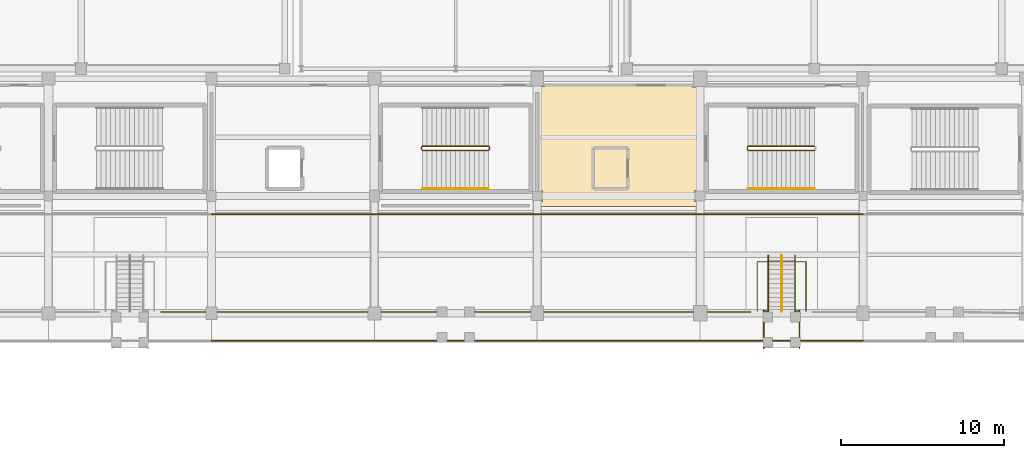
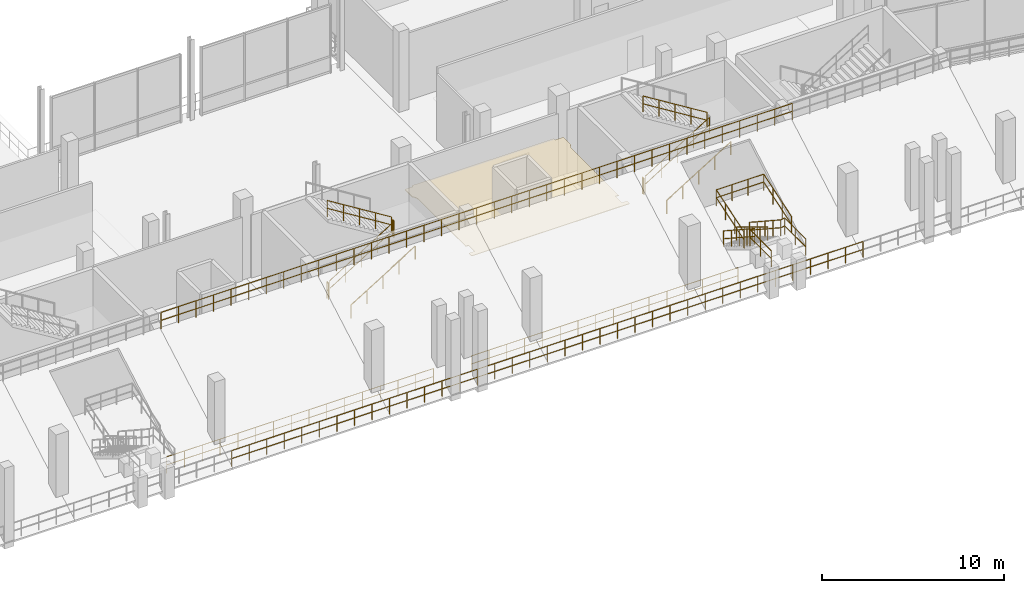
# One storey, part 123 of 127: 23 railings, 1 covering.
"""IFC4 building model written with IfcOpenShell, lengths in metres."""

from ifc_helpers import new_model, si_unit, direction, frame, origin, origin_2d, place, context, subcontext, project, spatial, polyline, circle, outline, extrude, material, layer, layer_set, type_object, element, save


model = new_model("IFC4")

# Units and contexts
model_context = context("Model", 3, precision=1e-05, world=origin(), true_north=direction((0.0, 1.0)))
body_context = subcontext(model_context, "Body", "Model", "MODEL_VIEW")
ifc_project = project(units=[si_unit("LENGTHUNIT", "METRE"), si_unit("AREAUNIT", "SQUARE_METRE"), si_unit("VOLUMEUNIT", "CUBIC_METRE"), si_unit("PLANEANGLEUNIT", "RADIAN"), si_unit("MASSUNIT", "GRAM", prefix="KILO")], contexts=[model_context])

# Site, building, storey
site_placement = place(None, origin())
site = spatial("IfcSite", under=ifc_project, at=site_placement, CompositionType="ELEMENT")
building_placement = place(site_placement, origin())
building = spatial("IfcBuilding", under=site, at=building_placement, Name="Candeia Ridge Stadium", CompositionType="ELEMENT")
storey_placement = place(building_placement, frame((0.0, 0.0, 10.800048828125)))
storey = spatial("IfcBuildingStorey", under=building, at=storey_placement, Name="L02", CompositionType="ELEMENT", Elevation=10.800048828125)

# Covering
ifc_material_1 = material(Name="Western Red Cedar Acoustic Slat", Category="wood")
ifc_layer_1 = layer(ifc_material_1, 0.044921875, Name="Western Red Cedar Acoustic Slat", Category="wood")
ifc_layer_set_1 = layer_set([ifc_layer_1], Name="Western Red Cedar Acoustic Slat")
covering_type = type_object("IfcCoveringType", Name="Slatted Cedar Acoustic Ceiling 45", PredefinedType="CEILING", material=ifc_layer_set_1)
covering_placement = place(storey_placement, frame((0.0, 0.0, 2.510009765625)))
element("IfcCovering", 1, at=covering_placement, inside=storey, type_object=covering_type, Name="Acoustic ceiling Club Hospitality Suite L02-03", PredefinedType="CEILING", context=body_context, shape_type="SweptSolid", body=[
    extrude(outline(polyline([(110.994140625, 139.170654296875), (110.9912109375, 139.17138671875), (110.988525390625, 139.17236328125), (110.98583984375, 139.173583984375), (110.9833984375, 139.175048828125), (110.98095703125, 139.1767578125), (110.978759765625, 139.1787109375), (110.976806640625, 139.180908203125), (110.97509765625, 139.183349609375), (110.973388671875, 139.185791015625), (110.972412109375, 139.1884765625), (110.97119140625, 139.19140625), (110.970703125, 139.194091796875), (110.97021484375, 139.197021484375), (110.969970703125, 139.199951171875), (110.969970703125, 139.469970703125), (111.330078125, 139.469970703125), (111.330078125, 140.1298828125), (111.145751953125, 140.1298828125), (111.148193359375, 140.1533203125), (111.149658203125, 140.182861328125), (111.14990234375, 140.199951171875), (111.14990234375, 145.25), (111.149658203125, 145.26708984375), (111.148193359375, 145.296630859375), (111.144775390625, 145.330810546875), (111.140380859375, 145.35986328125), (111.1337890625, 145.3935546875), (111.126708984375, 145.422119140625), (111.11669921875, 145.455078125), (111.106689453125, 145.482666015625), (111.093505859375, 145.514404296875), (111.0810546875, 145.541015625), (111.064697265625, 145.5712890625), (111.049560546875, 145.5966796875), (111.030517578125, 145.625244140625), (111.012939453125, 145.648681640625), (110.9912109375, 145.67529296875), (110.971435546875, 145.697265625), (110.969970703125, 145.698486328125), (110.969970703125, 146.510009765625), (111.489990234375, 146.510009765625), (111.489990234375, 146.6298828125), (120.485107421875, 146.6298828125), (120.485107421875, 146.485107421875), (120.989990234375, 146.485107421875), (120.989990234375, 145.652587890625), (120.987060546875, 145.648681640625), (120.969482421875, 145.625244140625), (120.950439453125, 145.5966796875), (120.935302734375, 145.5712890625), (120.9189453125, 145.541015625), (120.906494140625, 145.514404296875), (120.893310546875, 145.482666015625), (120.88330078125, 145.455078125), (120.873291015625, 145.422119140625), (120.8662109375, 145.3935546875), (120.859619140625, 145.35986328125), (120.855224609375, 145.330810546875), (120.851806640625, 145.296630859375), (120.850341796875, 145.26708984375), (120.85009765625, 145.25), (120.85009765625, 140.199951171875), (120.850341796875, 140.182861328125), (120.851806640625, 140.1533203125), (120.852294921875, 140.14990234375), (120.64990234375, 140.14990234375), (120.64990234375, 139.449951171875), (120.989990234375, 139.449951171875), (120.989990234375, 139.199951171875), (120.989990234375, 139.197021484375), (120.989501953125, 139.194091796875), (120.98876953125, 139.19140625), (120.98779296875, 139.1884765625), (120.986572265625, 139.185791015625), (120.98486328125, 139.183349609375), (120.983154296875, 139.180908203125), (120.981201171875, 139.1787109375), (120.97900390625, 139.1767578125), (120.976806640625, 139.175048828125), (120.97412109375, 139.173583984375), (120.971435546875, 139.17236328125), (120.96875, 139.17138671875), (120.9658203125, 139.170654296875), (120.962890625, 139.170166015625), (120.9599609375, 139.169921875), (111.0, 139.169921875), (110.9970703125, 139.170166015625), (110.994140625, 139.170654296875)])), origin(), (0.0, 0.0, 1.0), 0.0400390625),
])

# Railings
ifc_material_2 = material(Name="Galvanized Powder-Coated Steel", Category="steel")
ifc_layer_2 = layer(ifc_material_2, 0.074951171875, Name="Galvanized Powder-Coated Steel", Category="steel")
ifc_layer_set_2 = layer_set([ifc_layer_2], Name="Galvanized Powder-Coated Steel")
railing_type_1 = type_object("IfcRailingType", Name="Spectator Bowl Front Guardrail 1120", PredefinedType="GUARDRAIL", material=ifc_layer_set_2)
for number, where, name in (
    (2, (131.0, 130.919921875, 0.39990234375), "Stand T2 front safety guardrail bay 02"),
    (3, (131.0, 138.679931640625, 4.949951171875), "Stand T2 rear safety guardrail bay 02"),
    (4, (121.0, 130.919921875, 0.39990234375), "Stand T2 front safety guardrail bay 03"),
    (5, (121.0, 138.679931640625, 4.949951171875), "Stand T2 rear safety guardrail bay 03"),
    (6, (111.0, 130.919921875, 0.39990234375), "Stand T2 front safety guardrail bay 04"),
    (7, (111.0, 138.679931640625, 4.949951171875), "Stand T2 rear safety guardrail bay 04"),
    (8, (101.0, 130.919921875, 0.39990234375), "Stand T2 front safety guardrail bay 05"),
    (9, (101.0, 138.679931640625, 4.949951171875), "Stand T2 rear safety guardrail bay 05"),
):
    element("IfcRailing", number, at=place(storey_placement, frame(where)), inside=storey, type_object=railing_type_1, Name=name, PredefinedType="GUARDRAIL", context=body_context, shape_type="SweptSolid", body=[
        extrude(circle(Radius=0.02392578125, at=origin_2d()), frame((0.0, 0.0, 1.09619140625), z_axis=(-1.0, 0.0, 0.0), x_axis=(0.0, -1.0, 0.0)), (0.0, 0.0, 1.0), 10.0),
        extrude(circle(Radius=0.02392578125, at=origin_2d()), frame((0.0, 0.0, 0.56005859375), z_axis=(-1.0, 0.0, 0.0), x_axis=(0.0, -1.0, 0.0)), (0.0, 0.0, 1.0), 10.0),
        extrude(circle(Radius=0.02099609375, at=origin_2d()), origin(), (0.0, 0.0, 1.0), 1.072021484375),
        extrude(circle(Radius=0.02099609375, at=origin_2d()), frame((-1.111083984375, 0.0, 0.0)), (0.0, 0.0, 1.0), 1.072021484375),
        extrude(circle(Radius=0.02099609375, at=origin_2d()), frame((-2.22216796875, 0.0, 0.0)), (0.0, 0.0, 1.0), 1.072021484375),
        extrude(circle(Radius=0.02099609375, at=origin_2d()), frame((-3.333251953125, 0.0, 0.0)), (0.0, 0.0, 1.0), 1.072021484375),
        extrude(circle(Radius=0.02099609375, at=origin_2d()), frame((-4.4443359375, 0.0, 0.0)), (0.0, 0.0, 1.0), 1.072021484375),
        extrude(circle(Radius=0.02099609375, at=origin_2d()), frame((-5.5556640625, 0.0, 0.0)), (0.0, 0.0, 1.0), 1.072021484375),
        extrude(circle(Radius=0.02099609375, at=origin_2d()), frame((-6.666748046875, 0.0, 0.0)), (0.0, 0.0, 1.0), 1.072021484375),
        extrude(circle(Radius=0.02099609375, at=origin_2d()), frame((-7.77783203125, 0.0, 0.0)), (0.0, 0.0, 1.0), 1.072021484375),
        extrude(circle(Radius=0.02099609375, at=origin_2d()), frame((-8.888916015625, 0.0, 0.0)), (0.0, 0.0, 1.0), 1.072021484375),
        extrude(circle(Radius=0.02099609375, at=origin_2d()), frame((-10.0, 0.0, 0.0)), (0.0, 0.0, 1.0), 1.072021484375),
    ])
railing_1_placement = place(storey_placement, frame((124.09765625, 132.679931640625, 0.0)))
element("IfcRailing", 10, at=railing_1_placement, inside=storey, type_object=railing_type_1, Name="Deck edge safety guardrail GR-DE-L02-0102", PredefinedType="GUARDRAIL", context=body_context, shape_type="SweptSolid", body=[
    extrude(circle(Radius=0.02392578125, at=origin_2d()), frame((0.0, 0.0, 1.09619140625), z_axis=(-1.0, 0.0, 0.0), x_axis=(0.0, -1.0, 0.0)), (0.0, 0.0, 1.0), 16.90771484375),
    extrude(circle(Radius=0.02392578125, at=origin_2d()), frame((0.0, 0.0, 0.56005859375), z_axis=(-1.0, 0.0, 0.0), x_axis=(0.0, -1.0, 0.0)), (0.0, 0.0, 1.0), 16.90771484375),
    extrude(circle(Radius=0.02099609375, at=origin_2d()), origin(), (0.0, 0.0, 1.0), 1.072021484375),
    extrude(circle(Radius=0.02099609375, at=origin_2d()), frame((-1.127197265625, 0.0, 0.0)), (0.0, 0.0, 1.0), 1.072021484375),
    extrude(circle(Radius=0.02099609375, at=origin_2d()), frame((-2.25439453125, 0.0, 0.0)), (0.0, 0.0, 1.0), 1.072021484375),
    extrude(circle(Radius=0.02099609375, at=origin_2d()), frame((-3.381591796875, 0.0, 0.0)), (0.0, 0.0, 1.0), 1.072021484375),
    extrude(circle(Radius=0.02099609375, at=origin_2d()), frame((-4.5087890625, 0.0, 0.0)), (0.0, 0.0, 1.0), 1.072021484375),
    extrude(circle(Radius=0.02099609375, at=origin_2d()), frame((-5.635986328125, 0.0, 0.0)), (0.0, 0.0, 1.0), 1.072021484375),
    extrude(circle(Radius=0.02099609375, at=origin_2d()), frame((-6.76318359375, 0.0, 0.0)), (0.0, 0.0, 1.0), 1.072021484375),
    extrude(circle(Radius=0.02099609375, at=origin_2d()), frame((-7.890380859375, 0.0, 0.0)), (0.0, 0.0, 1.0), 1.072021484375),
    extrude(circle(Radius=0.02099609375, at=origin_2d()), frame((-9.017333984375, 0.0, 0.0)), (0.0, 0.0, 1.0), 1.072021484375),
    extrude(circle(Radius=0.02099609375, at=origin_2d()), frame((-10.14453125, 0.0, 0.0)), (0.0, 0.0, 1.0), 1.072021484375),
    extrude(circle(Radius=0.02099609375, at=origin_2d()), frame((-11.271728515625, 0.0, 0.0)), (0.0, 0.0, 1.0), 1.072021484375),
    extrude(circle(Radius=0.02099609375, at=origin_2d()), frame((-12.39892578125, 0.0, 0.0)), (0.0, 0.0, 1.0), 1.072021484375),
    extrude(circle(Radius=0.02099609375, at=origin_2d()), frame((-13.526123046875, 0.0, 0.0)), (0.0, 0.0, 1.0), 1.072021484375),
    extrude(circle(Radius=0.02099609375, at=origin_2d()), frame((-14.6533203125, 0.0, 0.0)), (0.0, 0.0, 1.0), 1.072021484375),
    extrude(circle(Radius=0.02099609375, at=origin_2d()), frame((-15.780517578125, 0.0, 0.0)), (0.0, 0.0, 1.0), 1.072021484375),
    extrude(circle(Radius=0.02099609375, at=origin_2d()), frame((-16.90771484375, 0.0, 0.0)), (0.0, 0.0, 1.0), 1.072021484375),
])
railing_2_placement = place(storey_placement, frame((104.81005859375, 132.679931640625, 0.0)))
element("IfcRailing", 11, at=railing_2_placement, inside=storey, type_object=railing_type_1, Name="Deck edge safety guardrail GR-DE-L02-0103", PredefinedType="GUARDRAIL", context=body_context, shape_type="SweptSolid", body=[
    extrude(circle(Radius=0.02392578125, at=origin_2d()), frame((0.0, 0.0, 1.09619140625), z_axis=(-1.0, 0.0, 0.0), x_axis=(0.0, -1.0, 0.0)), (0.0, 0.0, 1.0), 16.90771484375),
    extrude(circle(Radius=0.02392578125, at=origin_2d()), frame((0.0, 0.0, 0.56005859375), z_axis=(-1.0, 0.0, 0.0), x_axis=(0.0, -1.0, 0.0)), (0.0, 0.0, 1.0), 16.90771484375),
    extrude(circle(Radius=0.02099609375, at=origin_2d()), origin(), (0.0, 0.0, 1.0), 1.072021484375),
    extrude(circle(Radius=0.02099609375, at=origin_2d()), frame((-1.127197265625, 0.0, 0.0)), (0.0, 0.0, 1.0), 1.072021484375),
    extrude(circle(Radius=0.02099609375, at=origin_2d()), frame((-2.25439453125, 0.0, 0.0)), (0.0, 0.0, 1.0), 1.072021484375),
    extrude(circle(Radius=0.02099609375, at=origin_2d()), frame((-3.381591796875, 0.0, 0.0)), (0.0, 0.0, 1.0), 1.072021484375),
    extrude(circle(Radius=0.02099609375, at=origin_2d()), frame((-4.5087890625, 0.0, 0.0)), (0.0, 0.0, 1.0), 1.072021484375),
    extrude(circle(Radius=0.02099609375, at=origin_2d()), frame((-5.635986328125, 0.0, 0.0)), (0.0, 0.0, 1.0), 1.072021484375),
    extrude(circle(Radius=0.02099609375, at=origin_2d()), frame((-6.76318359375, 0.0, 0.0)), (0.0, 0.0, 1.0), 1.072021484375),
    extrude(circle(Radius=0.02099609375, at=origin_2d()), frame((-7.890380859375, 0.0, 0.0)), (0.0, 0.0, 1.0), 1.072021484375),
    extrude(circle(Radius=0.02099609375, at=origin_2d()), frame((-9.017333984375, 0.0, 0.0)), (0.0, 0.0, 1.0), 1.072021484375),
    extrude(circle(Radius=0.02099609375, at=origin_2d()), frame((-10.14453125, 0.0, 0.0)), (0.0, 0.0, 1.0), 1.072021484375),
    extrude(circle(Radius=0.02099609375, at=origin_2d()), frame((-11.271728515625, 0.0, 0.0)), (0.0, 0.0, 1.0), 1.072021484375),
    extrude(circle(Radius=0.02099609375, at=origin_2d()), frame((-12.39892578125, 0.0, 0.0)), (0.0, 0.0, 1.0), 1.072021484375),
    extrude(circle(Radius=0.02099609375, at=origin_2d()), frame((-13.526123046875, 0.0, 0.0)), (0.0, 0.0, 1.0), 1.072021484375),
    extrude(circle(Radius=0.02099609375, at=origin_2d()), frame((-14.6533203125, 0.0, 0.0)), (0.0, 0.0, 1.0), 1.072021484375),
    extrude(circle(Radius=0.02099609375, at=origin_2d()), frame((-15.780517578125, 0.0, 0.0)), (0.0, 0.0, 1.0), 1.072021484375),
    extrude(circle(Radius=0.02099609375, at=origin_2d()), frame((-16.90771484375, 0.0, 0.0)), (0.0, 0.0, 1.0), 1.072021484375),
])
ifc_material_3 = material(Name="Brushed Stainless Steel", Category="steel")
ifc_layer_3 = layer(ifc_material_3, 0.048095703125, Name="Brushed Stainless Steel", Category="steel")
ifc_layer_set_3 = layer_set([ifc_layer_3], Name="Brushed Stainless Steel")
railing_type_2 = type_object("IfcRailingType", Name="Stair Wall & Flight Handrail 900", PredefinedType="HANDRAIL", material=ifc_layer_set_3)
for number, where, name in (
    (12, (123.949951171875, 140.25, 0.179931640625), "L02 ST10 stair handrail 1"),
    (13, (103.949951171875, 140.25, 0.179931640625), "L02 ST17 stair handrail 1"),
):
    element("IfcRailing", number, at=place(storey_placement, frame(where)), inside=storey, type_object=railing_type_2, Name=name, PredefinedType="HANDRAIL", context=body_context, shape_type="SweptSolid", body=[
        extrude(circle(Radius=0.02392578125, at=origin_2d()), frame((0.0, 0.0, 0.8759765625), z_axis=(0.849641744969, 0.0, 0.527360318194), x_axis=(0.0, 1.0, 0.0)), (0.0, 0.0, 1.0), 4.778564453125),
        extrude(circle(Radius=0.02099609375, at=origin_2d()), origin(), (0.0, 0.0, 1.0), 0.851806640625),
        extrude(circle(Radius=0.02099609375, at=origin_2d()), frame((1.01513671875, 0.0, 0.6298828125)), (0.0, 0.0, 1.0), 0.851806640625),
        extrude(circle(Radius=0.02099609375, at=origin_2d()), frame((2.030029296875, 0.0, 1.260009765625)), (0.0, 0.0, 1.0), 0.851806640625),
        extrude(circle(Radius=0.02099609375, at=origin_2d()), frame((3.044921875, 0.0, 1.89013671875)), (0.0, 0.0, 1.0), 0.851806640625),
        extrude(circle(Radius=0.02099609375, at=origin_2d()), frame((4.06005859375, 0.0, 2.52001953125)), (0.0, 0.0, 1.0), 0.851806640625),
    ])
railing_3_placement = place(storey_placement, frame((126.0, 136.139892578125, 0.17236328125)))
element("IfcRailing", 14, at=railing_3_placement, inside=storey, type_object=railing_type_2, Name="Vomitory stair handrail VS19", PredefinedType="HANDRAIL", context=body_context, shape_type="SweptSolid", body=[
    extrude(circle(Radius=0.02392578125, at=origin_2d()), frame((0.0, 0.0, 0.8759765625), z_axis=(0.0, -0.855757773658, 0.517376683688), x_axis=(1.0, 0.0, 0.0)), (0.0, 0.0, 1.0), 3.996337890625),
    extrude(circle(Radius=0.02099609375, at=origin_2d()), origin(), (0.0, 0.0, 1.0), 0.851806640625),
    extrude(circle(Radius=0.02099609375, at=origin_2d()), frame((0.0, -0.85498046875, 0.516845703125)), (0.0, 0.0, 1.0), 0.851806640625),
    extrude(circle(Radius=0.02099609375, at=origin_2d()), frame((0.0, -1.7099609375, 1.03369140625)), (0.0, 0.0, 1.0), 0.851806640625),
    extrude(circle(Radius=0.02099609375, at=origin_2d()), frame((0.0, -2.56494140625, 1.55078125)), (0.0, 0.0, 1.0), 0.851806640625),
    extrude(circle(Radius=0.02099609375, at=origin_2d()), frame((0.0, -3.419921875, 2.067626953125)), (0.0, 0.0, 1.0), 0.851806640625),
])
ifc_layer_4 = layer(ifc_material_2, 0.06005859375, Name="Galvanized Powder-Coated Steel", Category="steel")
ifc_layer_set_4 = layer_set([ifc_layer_4], Name="Galvanized Powder-Coated Steel")
railing_type_3 = type_object("IfcRailingType", Name="Stair Well Guardrail 1100", PredefinedType="GUARDRAIL", material=ifc_layer_set_4)
railing_4_placement = place(storey_placement, frame((123.949951171875, 142.60009765625, 0.179931640625)))
element("IfcRailing", 15, at=railing_4_placement, inside=storey, type_object=railing_type_3, Name="L02 ST10 stair guard 1", PredefinedType="GUARDRAIL", context=body_context, shape_type="SweptSolid", body=[
    extrude(circle(Radius=0.02392578125, at=origin_2d()), frame((0.0, 0.0, 1.076171875), z_axis=(0.849641744969, 0.0, 0.527360318194), x_axis=(0.0, 1.0, 0.0)), (0.0, 0.0, 1.0), 4.778564453125),
    extrude(circle(Radius=0.02392578125, at=origin_2d()), frame((0.0, 0.0, 0.550048828125), z_axis=(0.849641744969, 0.0, 0.527360318194), x_axis=(0.0, 1.0, 0.0)), (0.0, 0.0, 1.0), 4.778564453125),
    extrude(circle(Radius=0.02099609375, at=origin_2d()), origin(), (0.0, 0.0, 1.0), 1.052001953125),
    extrude(circle(Radius=0.02099609375, at=origin_2d()), frame((1.01513671875, 0.0, 0.6298828125)), (0.0, 0.0, 1.0), 1.052001953125),
    extrude(circle(Radius=0.02099609375, at=origin_2d()), frame((2.030029296875, 0.0, 1.260009765625)), (0.0, 0.0, 1.0), 1.052001953125),
    extrude(circle(Radius=0.02099609375, at=origin_2d()), frame((3.044921875, 0.0, 1.89013671875)), (0.0, 0.0, 1.0), 1.052001953125),
    extrude(circle(Radius=0.02099609375, at=origin_2d()), frame((4.06005859375, 0.0, 2.52001953125)), (0.0, 0.0, 1.0), 1.052001953125),
])
railing_5_placement = place(storey_placement, frame((128.010009765625, 142.85009765625, 2.8798828125)))
element("IfcRailing", 16, at=railing_5_placement, inside=storey, type_object=railing_type_3, Name="L02 ST10 stair guard 3", PredefinedType="GUARDRAIL", context=body_context, shape_type="SweptSolid", body=[
    extrude(circle(Radius=0.02392578125, at=origin_2d()), frame((0.0, 0.0, 1.076171875), z_axis=(-0.849641744969, 0.0, 0.527360318194), x_axis=(0.0, -1.0, 0.0)), (0.0, 0.0, 1.0), 4.778564453125),
    extrude(circle(Radius=0.02392578125, at=origin_2d()), frame((0.0, 0.0, 0.550048828125), z_axis=(-0.849641744969, 0.0, 0.527360318194), x_axis=(0.0, -1.0, 0.0)), (0.0, 0.0, 1.0), 4.778564453125),
    extrude(circle(Radius=0.02099609375, at=origin_2d()), origin(), (0.0, 0.0, 1.0), 1.052001953125),
    extrude(circle(Radius=0.02099609375, at=origin_2d()), frame((-1.01513671875, 0.0, 0.6298828125)), (0.0, 0.0, 1.0), 1.052001953125),
    extrude(circle(Radius=0.02099609375, at=origin_2d()), frame((-2.030029296875, 0.0, 1.260009765625)), (0.0, 0.0, 1.0), 1.052001953125),
    extrude(circle(Radius=0.02099609375, at=origin_2d()), frame((-3.044921875, 0.0, 1.89013671875)), (0.0, 0.0, 1.0), 1.052001953125),
    extrude(circle(Radius=0.02099609375, at=origin_2d()), frame((-4.06005859375, 0.0, 2.52001953125)), (0.0, 0.0, 1.0), 1.052001953125),
])
railing_6_placement = place(storey_placement, frame((123.89990234375, 142.64990234375, 0.0)))
element("IfcRailing", 17, at=railing_6_placement, inside=storey, type_object=railing_type_3, Name="L02 ST10 stair guard 4", PredefinedType="GUARDRAIL", context=body_context, shape_type="SweptSolid", body=[
    extrude(circle(Radius=0.02392578125, at=origin_2d()), frame((0.0, 0.0, 1.076171875), z_axis=(0.0, 1.0, 0.0), x_axis=(-1.0, 0.0, 0.0)), (0.0, 0.0, 1.0), 0.150146484375),
    extrude(circle(Radius=0.02392578125, at=origin_2d()), frame((0.0, 0.0, 0.550048828125), z_axis=(0.0, 1.0, 0.0), x_axis=(-1.0, 0.0, 0.0)), (0.0, 0.0, 1.0), 0.150146484375),
    extrude(circle(Radius=0.02099609375, at=origin_2d()), origin(), (0.0, 0.0, 1.0), 1.052001953125),
    extrude(circle(Radius=0.02099609375, at=origin_2d()), frame((0.0, 0.150146484375, 0.0)), (0.0, 0.0, 1.0), 1.052001953125),
])
railing_7_placement = place(storey_placement, frame((103.949951171875, 142.60009765625, 0.179931640625)))
element("IfcRailing", 18, at=railing_7_placement, inside=storey, type_object=railing_type_3, Name="L02 ST17 stair guard 1", PredefinedType="GUARDRAIL", context=body_context, shape_type="SweptSolid", body=[
    extrude(circle(Radius=0.02392578125, at=origin_2d()), frame((0.0, 0.0, 1.076171875), z_axis=(0.849641744969, 0.0, 0.527360318194), x_axis=(0.0, 1.0, 0.0)), (0.0, 0.0, 1.0), 4.778564453125),
    extrude(circle(Radius=0.02392578125, at=origin_2d()), frame((0.0, 0.0, 0.550048828125), z_axis=(0.849641744969, 0.0, 0.527360318194), x_axis=(0.0, 1.0, 0.0)), (0.0, 0.0, 1.0), 4.778564453125),
    extrude(circle(Radius=0.02099609375, at=origin_2d()), origin(), (0.0, 0.0, 1.0), 1.052001953125),
    extrude(circle(Radius=0.02099609375, at=origin_2d()), frame((1.01513671875, 0.0, 0.6298828125)), (0.0, 0.0, 1.0), 1.052001953125),
    extrude(circle(Radius=0.02099609375, at=origin_2d()), frame((2.030029296875, 0.0, 1.260009765625)), (0.0, 0.0, 1.0), 1.052001953125),
    extrude(circle(Radius=0.02099609375, at=origin_2d()), frame((3.044921875, 0.0, 1.89013671875)), (0.0, 0.0, 1.0), 1.052001953125),
    extrude(circle(Radius=0.02099609375, at=origin_2d()), frame((4.06005859375, 0.0, 2.52001953125)), (0.0, 0.0, 1.0), 1.052001953125),
])
railing_8_placement = place(storey_placement, frame((108.06005859375, 142.64990234375, 2.699951171875)))
element("IfcRailing", 19, at=railing_8_placement, inside=storey, type_object=railing_type_3, Name="L02 ST17 stair guard 2", PredefinedType="GUARDRAIL", context=body_context, shape_type="SweptSolid", body=[
    extrude(circle(Radius=0.02392578125, at=origin_2d()), frame((0.0, 0.0, 1.076171875), z_axis=(0.0, 1.0, 0.0), x_axis=(-1.0, 0.0, 0.0)), (0.0, 0.0, 1.0), 0.150146484375),
    extrude(circle(Radius=0.02392578125, at=origin_2d()), frame((0.0, 0.0, 0.550048828125), z_axis=(0.0, 1.0, 0.0), x_axis=(-1.0, 0.0, 0.0)), (0.0, 0.0, 1.0), 0.150146484375),
    extrude(circle(Radius=0.02099609375, at=origin_2d()), origin(), (0.0, 0.0, 1.0), 1.052001953125),
    extrude(circle(Radius=0.02099609375, at=origin_2d()), frame((0.0, 0.150146484375, 0.0)), (0.0, 0.0, 1.0), 1.052001953125),
])
railing_9_placement = place(storey_placement, frame((108.010009765625, 142.85009765625, 2.8798828125)))
element("IfcRailing", 20, at=railing_9_placement, inside=storey, type_object=railing_type_3, Name="L02 ST17 stair guard 3", PredefinedType="GUARDRAIL", context=body_context, shape_type="SweptSolid", body=[
    extrude(circle(Radius=0.02392578125, at=origin_2d()), frame((0.0, 0.0, 1.076171875), z_axis=(-0.849641744969, 0.0, 0.527360318194), x_axis=(0.0, -1.0, 0.0)), (0.0, 0.0, 1.0), 4.778564453125),
    extrude(circle(Radius=0.02392578125, at=origin_2d()), frame((0.0, 0.0, 0.550048828125), z_axis=(-0.849641744969, 0.0, 0.527360318194), x_axis=(0.0, -1.0, 0.0)), (0.0, 0.0, 1.0), 4.778564453125),
    extrude(circle(Radius=0.02099609375, at=origin_2d()), origin(), (0.0, 0.0, 1.0), 1.052001953125),
    extrude(circle(Radius=0.02099609375, at=origin_2d()), frame((-1.01513671875, 0.0, 0.6298828125)), (0.0, 0.0, 1.0), 1.052001953125),
    extrude(circle(Radius=0.02099609375, at=origin_2d()), frame((-2.030029296875, 0.0, 1.260009765625)), (0.0, 0.0, 1.0), 1.052001953125),
    extrude(circle(Radius=0.02099609375, at=origin_2d()), frame((-3.044921875, 0.0, 1.89013671875)), (0.0, 0.0, 1.0), 1.052001953125),
    extrude(circle(Radius=0.02099609375, at=origin_2d()), frame((-4.06005859375, 0.0, 2.52001953125)), (0.0, 0.0, 1.0), 1.052001953125),
])
railing_10_placement = place(storey_placement, frame((103.89990234375, 142.64990234375, 0.0)))
element("IfcRailing", 21, at=railing_10_placement, inside=storey, type_object=railing_type_3, Name="L02 ST17 stair guard 4", PredefinedType="GUARDRAIL", context=body_context, shape_type="SweptSolid", body=[
    extrude(circle(Radius=0.02392578125, at=origin_2d()), frame((0.0, 0.0, 1.076171875), z_axis=(0.0, 1.0, 0.0), x_axis=(-1.0, 0.0, 0.0)), (0.0, 0.0, 1.0), 0.150146484375),
    extrude(circle(Radius=0.02392578125, at=origin_2d()), frame((0.0, 0.0, 0.550048828125), z_axis=(0.0, 1.0, 0.0), x_axis=(-1.0, 0.0, 0.0)), (0.0, 0.0, 1.0), 0.150146484375),
    extrude(circle(Radius=0.02099609375, at=origin_2d()), origin(), (0.0, 0.0, 1.0), 1.052001953125),
    extrude(circle(Radius=0.02099609375, at=origin_2d()), frame((0.0, 0.150146484375, 0.0)), (0.0, 0.0, 1.0), 1.052001953125),
])
ifc_layer_5 = layer(ifc_material_2, 0.070068359375, Name="Galvanized Powder-Coated Steel", Category="steel")
ifc_layer_set_5 = layer_set([ifc_layer_5], Name="Galvanized Powder-Coated Steel")
railing_type_4 = type_object("IfcRailingType", Name="Vomitory Portal Guardrail 1100", PredefinedType="GUARDRAIL", material=ifc_layer_set_5)
railing_11_placement = place(storey_placement, frame((127.5, 132.719970703125, 2.239990234375)))
element("IfcRailing", 22, at=railing_11_placement, inside=storey, type_object=railing_type_4, Name="Vomitory portal guardrail VS19", PredefinedType="GUARDRAIL", context=body_context, shape_type="SweptSolid", body=[
    extrude(circle(Radius=0.02392578125, at=origin_2d()), frame((0.0, 0.0, 1.076171875), z_axis=(0.0, 0.95168124109, 0.307087634653), x_axis=(-1.0, 0.0, 0.0)), (0.0, 0.0, 1.0), 3.1943359375),
    extrude(circle(Radius=0.02392578125, at=origin_2d()), frame((0.0, 0.0, 0.550048828125), z_axis=(0.0, 0.95168124109, 0.307087634653), x_axis=(-1.0, 0.0, 0.0)), (0.0, 0.0, 1.0), 3.1943359375),
    extrude(circle(Radius=0.02392578125, at=origin_2d()), frame((0.0, 3.0400390625, 2.05712890625), z_axis=(-1.0, 0.0, 0.0), x_axis=(0.0, -1.0, 0.0)), (0.0, 0.0, 1.0), 3.0),
    extrude(circle(Radius=0.02392578125, at=origin_2d()), frame((0.0, 3.0400390625, 1.531005859375), z_axis=(-1.0, 0.0, 0.0), x_axis=(0.0, -1.0, 0.0)), (0.0, 0.0, 1.0), 3.0),
    extrude(circle(Radius=0.02392578125, at=origin_2d()), frame((-3.0, 3.0400390625, 2.05712890625), z_axis=(0.0, -0.95168124109, -0.307087634653), x_axis=(1.0, 0.0, 0.0)), (0.0, 0.0, 1.0), 3.1943359375),
    extrude(circle(Radius=0.02392578125, at=origin_2d()), frame((-3.0, 3.0400390625, 1.531005859375), z_axis=(0.0, -0.95168124109, -0.307087634653), x_axis=(1.0, 0.0, 0.0)), (0.0, 0.0, 1.0), 3.1943359375),
    extrude(circle(Radius=0.02099609375, at=origin_2d()), origin(), (0.0, 0.0, 1.0), 1.052001953125),
    extrude(circle(Radius=0.02099609375, at=origin_2d()), frame((0.0, 1.013427734375, 0.326904296875)), (0.0, 0.0, 1.0), 1.052001953125),
    extrude(circle(Radius=0.02099609375, at=origin_2d()), frame((0.0, 2.026611328125, 0.654052734375)), (0.0, 0.0, 1.0), 1.052001953125),
    extrude(circle(Radius=0.02099609375, at=origin_2d()), frame((0.0, 3.0400390625, 0.98095703125)), (0.0, 0.0, 1.0), 1.052001953125),
    extrude(circle(Radius=0.02099609375, at=origin_2d()), frame((-1.0, 3.0400390625, 0.98095703125)), (0.0, 0.0, 1.0), 1.052001953125),
    extrude(circle(Radius=0.02099609375, at=origin_2d()), frame((-2.0, 3.0400390625, 0.98095703125)), (0.0, 0.0, 1.0), 1.052001953125),
    extrude(circle(Radius=0.02099609375, at=origin_2d()), frame((-3.0, 3.0400390625, 0.98095703125)), (0.0, 0.0, 1.0), 1.052001953125),
    extrude(circle(Radius=0.02099609375, at=origin_2d()), frame((-3.0, 2.026611328125, 0.654052734375)), (0.0, 0.0, 1.0), 1.052001953125),
    extrude(circle(Radius=0.02099609375, at=origin_2d()), frame((-3.0, 1.013427734375, 0.326904296875)), (0.0, 0.0, 1.0), 1.052001953125),
    extrude(circle(Radius=0.02099609375, at=origin_2d()), frame((-3.0, 0.0, 0.0)), (0.0, 0.0, 1.0), 1.052001953125),
])
railing_12_placement = place(storey_placement, frame((126.820068359375, 136.139892578125, 0.0)))
element("IfcRailing", 23, at=railing_12_placement, inside=storey, type_object=railing_type_4, Name="Vomitory stair & landing side guardrail VS19-L", PredefinedType="GUARDRAIL", context=body_context, shape_type="SweptSolid", body=[
    extrude(circle(Radius=0.02392578125, at=origin_2d()), frame((0.0, 0.0, 1.076171875), z_axis=(0.0, -0.836533807629, 0.547915311607), x_axis=(1.0, 0.0, 0.0)), (0.0, 0.0, 1.0), 4.088134765625),
    extrude(circle(Radius=0.02392578125, at=origin_2d()), frame((0.0, 0.0, 0.550048828125), z_axis=(0.0, -0.836533807629, 0.547915311607), x_axis=(1.0, 0.0, 0.0)), (0.0, 0.0, 1.0), 4.088134765625),
    extrude(circle(Radius=0.02392578125, at=origin_2d()), frame((0.0, -3.419921875, 3.31591796875), z_axis=(0.989932225045, 0.141542183877, 0.0), x_axis=(-0.141542183877, 0.989932225045, 0.0)), (0.0, 0.0, 1.0), 0.282958984375),
    extrude(circle(Radius=0.02392578125, at=origin_2d()), frame((0.0, -3.419921875, 2.7900390625), z_axis=(0.989932225045, 0.141542183877, 0.0), x_axis=(-0.141542183877, 0.989932225045, 0.0)), (0.0, 0.0, 1.0), 0.282958984375),
    extrude(circle(Radius=0.02392578125, at=origin_2d()), frame((0.280029296875, -3.3798828125, 3.31591796875), z_axis=(0.0, -1.0, 0.0), x_axis=(1.0, 0.0, 0.0)), (0.0, 0.0, 1.0), 2.320068359375),
    extrude(circle(Radius=0.02392578125, at=origin_2d()), frame((0.280029296875, -3.3798828125, 2.7900390625), z_axis=(0.0, -1.0, 0.0), x_axis=(1.0, 0.0, 0.0)), (0.0, 0.0, 1.0), 2.320068359375),
    extrude(circle(Radius=0.02099609375, at=origin_2d()), origin(), (0.0, 0.0, 1.0), 1.052001953125),
    extrude(circle(Radius=0.02099609375, at=origin_2d()), frame((0.0, -0.85498046875, 0.56005859375)), (0.0, 0.0, 1.0), 1.052001953125),
    extrude(circle(Radius=0.02099609375, at=origin_2d()), frame((0.0, -1.7099609375, 1.1201171875)), (0.0, 0.0, 1.0), 1.052001953125),
    extrude(circle(Radius=0.02099609375, at=origin_2d()), frame((0.0, -2.56494140625, 1.679931640625)), (0.0, 0.0, 1.0), 1.052001953125),
    extrude(circle(Radius=0.02099609375, at=origin_2d()), frame((0.0, -3.419921875, 2.239990234375)), (0.0, 0.0, 1.0), 1.052001953125),
    extrude(circle(Radius=0.02099609375, at=origin_2d()), frame((0.280029296875, -3.3798828125, 2.239990234375)), (0.0, 0.0, 1.0), 1.052001953125),
    extrude(circle(Radius=0.02099609375, at=origin_2d()), frame((0.280029296875, -4.5400390625, 2.239990234375)), (0.0, 0.0, 1.0), 1.052001953125),
    extrude(circle(Radius=0.02099609375, at=origin_2d()), frame((0.280029296875, -5.699951171875, 2.239990234375)), (0.0, 0.0, 1.0), 1.052001953125),
])
railing_13_placement = place(storey_placement, frame((125.179931640625, 136.139892578125, 0.0)))
element("IfcRailing", 24, at=railing_13_placement, inside=storey, type_object=railing_type_4, Name="Vomitory stair & landing side guardrail VS19-R", PredefinedType="GUARDRAIL", context=body_context, shape_type="SweptSolid", body=[
    extrude(circle(Radius=0.02392578125, at=origin_2d()), frame((0.0, 0.0, 1.076171875), z_axis=(0.0, -0.836533807629, 0.547915311607), x_axis=(1.0, 0.0, 0.0)), (0.0, 0.0, 1.0), 4.088134765625),
    extrude(circle(Radius=0.02392578125, at=origin_2d()), frame((0.0, 0.0, 0.550048828125), z_axis=(0.0, -0.836533807629, 0.547915311607), x_axis=(1.0, 0.0, 0.0)), (0.0, 0.0, 1.0), 4.088134765625),
    extrude(circle(Radius=0.02392578125, at=origin_2d()), frame((0.0, -3.419921875, 3.31591796875), z_axis=(-0.989932225045, 0.141542183877, 0.0), x_axis=(-0.141542183877, -0.989932225045, 0.0)), (0.0, 0.0, 1.0), 0.282958984375),
    extrude(circle(Radius=0.02392578125, at=origin_2d()), frame((0.0, -3.419921875, 2.7900390625), z_axis=(-0.989932225045, 0.141542183877, 0.0), x_axis=(-0.141542183877, -0.989932225045, 0.0)), (0.0, 0.0, 1.0), 0.282958984375),
    extrude(circle(Radius=0.02392578125, at=origin_2d()), frame((-0.280029296875, -3.3798828125, 3.31591796875), z_axis=(0.0, -1.0, 0.0), x_axis=(1.0, 0.0, 0.0)), (0.0, 0.0, 1.0), 2.320068359375),
    extrude(circle(Radius=0.02392578125, at=origin_2d()), frame((-0.280029296875, -3.3798828125, 2.7900390625), z_axis=(0.0, -1.0, 0.0), x_axis=(1.0, 0.0, 0.0)), (0.0, 0.0, 1.0), 2.320068359375),
    extrude(circle(Radius=0.02099609375, at=origin_2d()), origin(), (0.0, 0.0, 1.0), 1.052001953125),
    extrude(circle(Radius=0.02099609375, at=origin_2d()), frame((0.0, -0.85498046875, 0.56005859375)), (0.0, 0.0, 1.0), 1.052001953125),
    extrude(circle(Radius=0.02099609375, at=origin_2d()), frame((0.0, -1.7099609375, 1.1201171875)), (0.0, 0.0, 1.0), 1.052001953125),
    extrude(circle(Radius=0.02099609375, at=origin_2d()), frame((0.0, -2.56494140625, 1.679931640625)), (0.0, 0.0, 1.0), 1.052001953125),
    extrude(circle(Radius=0.02099609375, at=origin_2d()), frame((0.0, -3.419921875, 2.239990234375)), (0.0, 0.0, 1.0), 1.052001953125),
    extrude(circle(Radius=0.02099609375, at=origin_2d()), frame((-0.280029296875, -3.3798828125, 2.239990234375)), (0.0, 0.0, 1.0), 1.052001953125),
    extrude(circle(Radius=0.02099609375, at=origin_2d()), frame((-0.280029296875, -4.5400390625, 2.239990234375)), (0.0, 0.0, 1.0), 1.052001953125),
    extrude(circle(Radius=0.02099609375, at=origin_2d()), frame((-0.280029296875, -5.699951171875, 2.239990234375)), (0.0, 0.0, 1.0), 1.052001953125),
])

save(model, "model.ifc")
